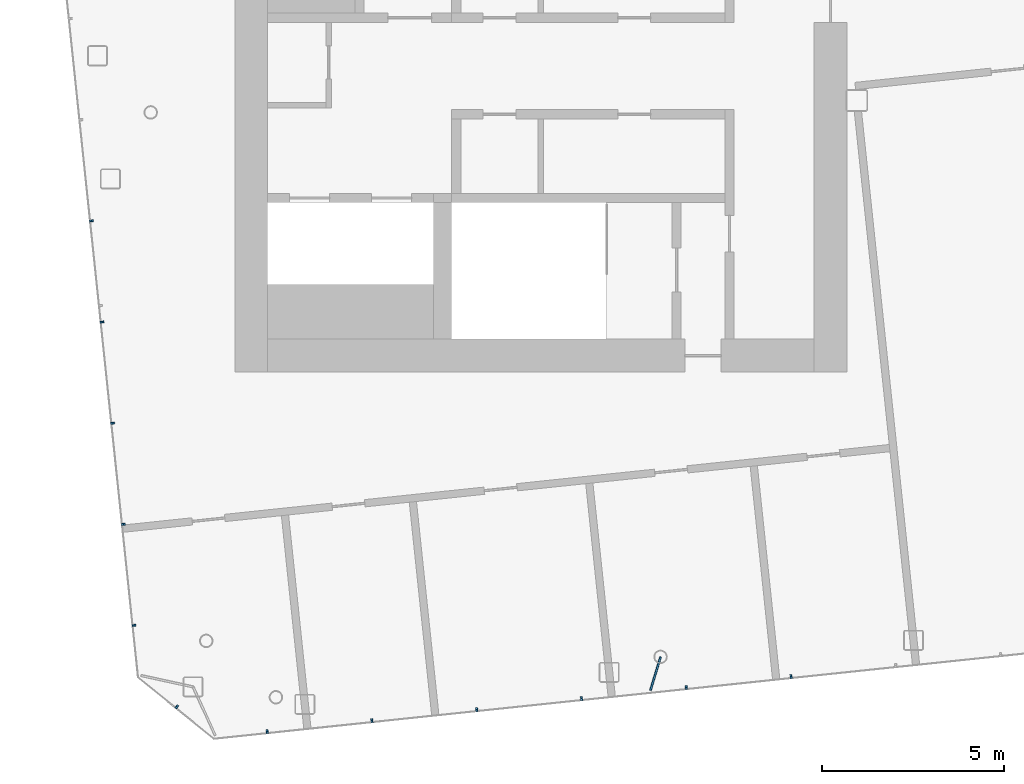
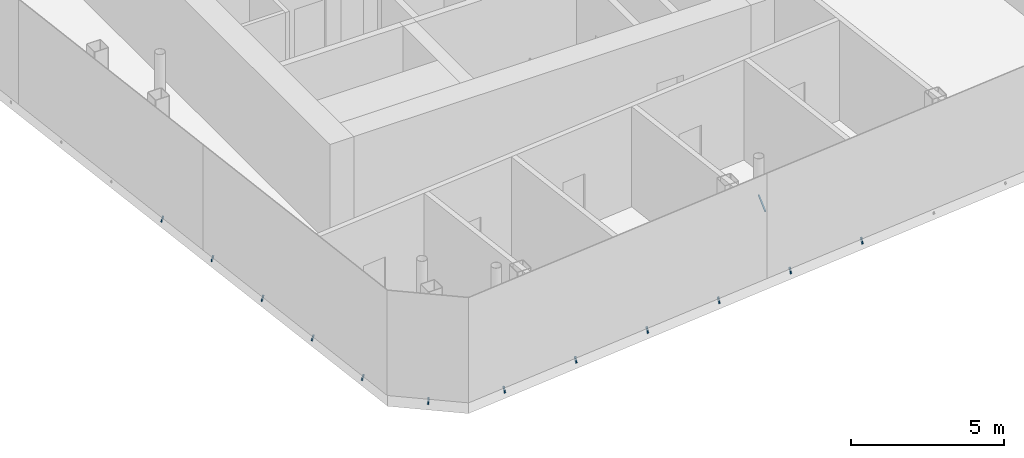
# One storey, part 16 of 28: 13 discrete accessories.
"""IFC4 building model written with IfcOpenShell, lengths in metres."""

from ifc_helpers import new_model, si_unit, direction, frame, origin, origin_2d, place, context, subcontext, project, spatial, rectangle, extrude, material, material_profile, profile_set, type_object, element, save


model = new_model("IFC4")

# Units and contexts
model_context = context("Model", 3, precision=1e-05, world=origin(), true_north=direction((0.0, 1.0)))
body_context = subcontext(model_context, "Body", "Model", "MODEL_VIEW")
ifc_project = project(units=[si_unit("LENGTHUNIT", "METRE"), si_unit("AREAUNIT", "SQUARE_METRE"), si_unit("VOLUMEUNIT", "CUBIC_METRE"), si_unit("PLANEANGLEUNIT", "RADIAN"), si_unit("MASSUNIT", "GRAM", prefix="KILO")], contexts=[model_context])

# Site, building, storey
site_placement = place(None, origin())
site = spatial("IfcSite", under=ifc_project, at=site_placement, CompositionType="ELEMENT")
building_placement = place(site_placement, origin())
building = spatial("IfcBuilding", under=site, at=building_placement, Name="Hakoniwa Tower and Hamabe Station Hall", CompositionType="ELEMENT")
storey_placement = place(building_placement, frame((0.0, 0.0, 280.800048828125)))
storey = spatial("IfcBuildingStorey", under=building, at=storey_placement, Name="L78", CompositionType="ELEMENT", Elevation=280.800048828125)

# Discrete accessories
ifc_material = material(Name="Stainless steel SUS304", Category="steel")
ifc_material_profile = material_profile(ifc_material, rectangle(XDim=0.050048828125, YDim=0.050048828125, at=origin_2d()), Name="CW-4 GLAZING BRACKET 50X50")
ifc_profile_set = profile_set([ifc_material_profile], Name="Stainless steel SUS304")
discrete_accessory_type = type_object("IfcDiscreteAccessoryType", Name="CW-4 GLAZING BRACKET 50X50", PredefinedType="BRACKET", material=ifc_profile_set)
discrete_accessory_placement = place(storey_placement, frame((-22.195556640625, -17.1376953125, 2.63330078125), z_axis=(0.290614747072, 0.956840147979, 0.0), x_axis=(-0.956840147979, 0.290614747072, 0.0)))
element("IfcDiscreteAccessory", 1, at=discrete_accessory_placement, inside=storey, type_object=discrete_accessory_type, Name="Glazing bracket", PredefinedType="BRACKET", context=body_context, shape_type="SweptSolid", body=[
    extrude(rectangle(XDim=0.050048828125, YDim=0.050048828125, at=origin_2d()), origin(), (0.0, 0.0, 1.0), 0.95947265625),
])
for number, where, z_axis, x_axis, name in (
    (2, (-37.510009765625, -4.249267578125, 0.0), (-0.255747074986, -0.026203593749, -0.966388537448), (0.101925414299, -0.994792043555, 0.0), "Glazing bracket"),
    (3, (-37.21826171875, -7.025390625, 0.0), (-0.255747074986, -0.026203593749, -0.966388537448), (0.101925414299, -0.994792043555, 0.0), "Glazing bracket"),
    (4, (-36.926513671875, -9.801513671875, 0.0), (-0.255747074986, -0.026203593749, -0.966388537448), (0.101925414299, -0.994792043555, 0.0), "Glazing bracket"),
    (5, (-36.634765625, -12.57763671875, 0.0), (-0.255747074986, -0.026203593749, -0.966388537448), (0.101925414299, -0.994792043555, 0.0), "Glazing bracket"),
    (6, (-36.3427734375, -15.353759765625, 0.0), (-0.256726269009, -0.026196558062, -0.96612906133), (0.101513688013, -0.994834142531, 0.0), "Glazing bracket"),
    (7, (-35.17626953125, -17.568115234375, 0.0), (-0.162431501858, -0.200157528096, -0.966205449762), (0.776486922384, -0.630133366333, 0.0), "Glazing bracket"),
    (8, (-32.717529296875, -18.243408203125, 0.0), (0.027243657589, -0.256719081131, -0.966102011438), (0.994416132921, 0.10552987533, 0.0), "Glazing bracket"),
    (9, (-29.84130859375, -17.941162109375, 0.0), (0.027243657589, -0.256719081131, -0.966102011438), (0.994416132921, 0.10552987533, 0.0), "Glazing bracket"),
    (10, (-26.96484375, -17.638916015625, 0.0), (0.027250974089, -0.255739910677, -0.966361465756), (0.994370656274, 0.105957528947, 0.0), "Glazing bracket"),
    (11, (-24.08837890625, -17.336669921875, 0.0), (0.026203593749, -0.255747074986, -0.966388537448), (0.994792043555, 0.101925414299, 0.0), "Glazing bracket"),
    (12, (-21.212158203125, -17.0341796875, 0.0), (0.027243657589, -0.256719081131, -0.966102011438), (0.994416132921, 0.10552987533, 0.0), "Glazing bracket"),
    (13, (-18.335693359375, -16.73193359375, 0.0), (0.027243657589, -0.256719081131, -0.966102011438), (0.994416132921, 0.10552987533, 0.0), "Glazing bracket"),
):
    element("IfcDiscreteAccessory", number, at=place(storey_placement, frame(where, z_axis=z_axis, x_axis=x_axis)), inside=storey, type_object=discrete_accessory_type, Name=name, PredefinedType="BRACKET", context=body_context, shape_type="SweptSolid", body=[
        extrude(rectangle(XDim=0.050048828125, YDim=0.050048828125, at=origin_2d()), origin(), (0.0, 0.0, 1.0), 0.23291015625),
    ])

save(model, "model.ifc")
